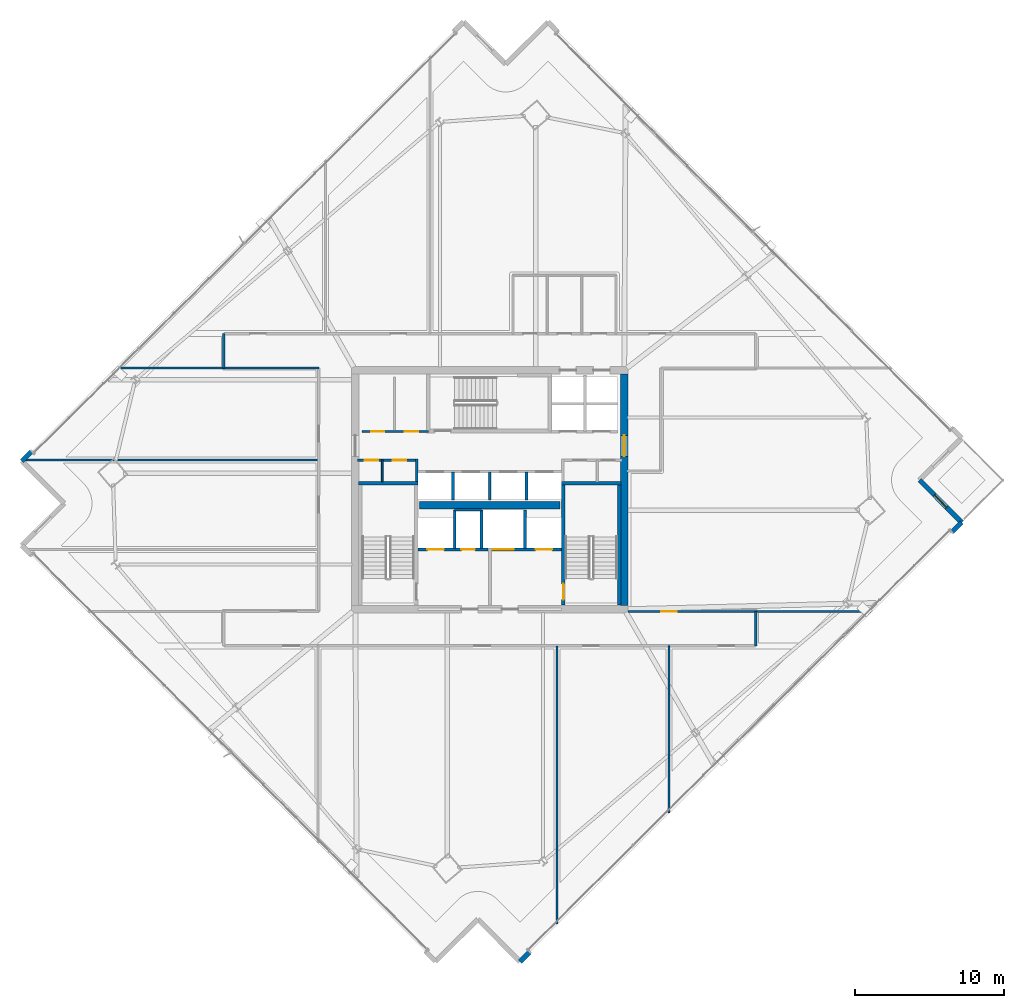
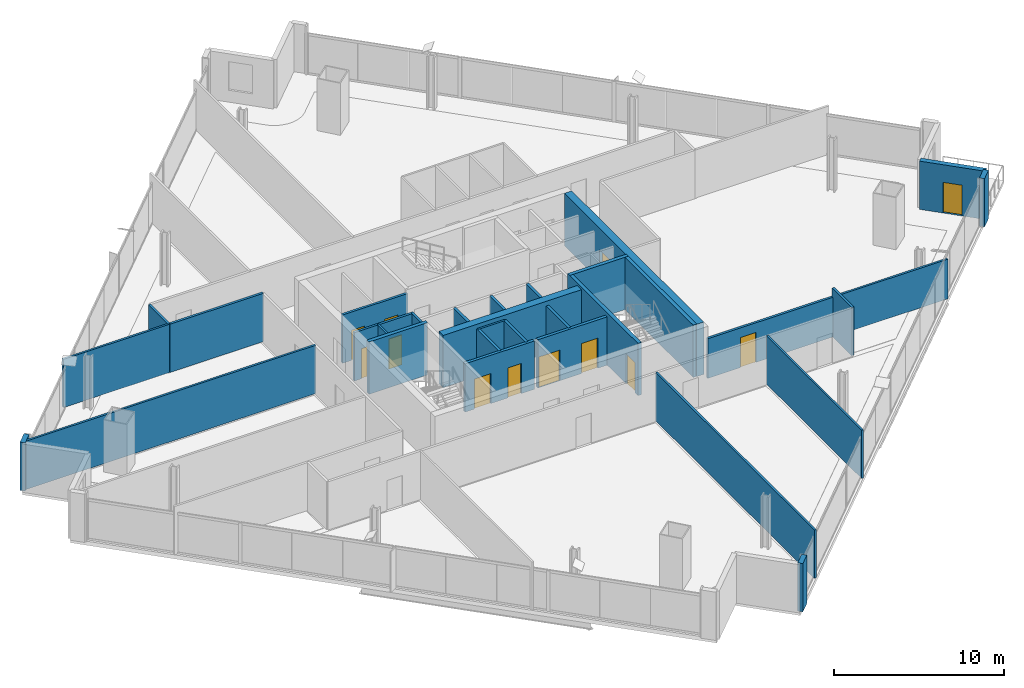
# One storey, part 25 of 32: 32 walls, 12 doors, 12 openings.
"""IFC4 building model written with IfcOpenShell, lengths in metres."""

from ifc_helpers import new_model, si_unit, direction, frame, frame_2d, origin, place, context, subcontext, project, spatial, rectangle, extrude, material, layer, layer_set, type_object, element, fill, save


model = new_model("IFC4")

# Units and contexts
model_context = context("Model", 3, precision=1e-05, world=origin(), true_north=direction((0.0, 1.0)))
body_context = subcontext(model_context, "Body", "Model", "MODEL_VIEW")
ifc_project = project(units=[si_unit("LENGTHUNIT", "METRE"), si_unit("AREAUNIT", "SQUARE_METRE"), si_unit("VOLUMEUNIT", "CUBIC_METRE"), si_unit("PLANEANGLEUNIT", "RADIAN"), si_unit("MASSUNIT", "GRAM", prefix="KILO")], contexts=[model_context])

# Site, building, storey
site_placement = place(None, origin())
site = spatial("IfcSite", under=ifc_project, at=site_placement, CompositionType="ELEMENT")
building_placement = place(site_placement, origin())
building = spatial("IfcBuilding", under=site, at=building_placement, Name="Haldenkirk Collegiate Tower", CompositionType="ELEMENT")
storey_placement = place(building_placement, frame((0.0, 0.0, 178.199951171875)))
storey = spatial("IfcBuildingStorey", under=building, at=storey_placement, Name="L44", CompositionType="ELEMENT", Elevation=178.199951171875)

# Wall, opening, door
ifc_material_1 = material(Name="Concrete f'c 55 MPa", Category="concrete")
ifc_layer_1 = layer(ifc_material_1, 0.5)
ifc_layer_set_1 = layer_set([ifc_layer_1], Name="Concrete f'c 55 MPa")
wall_type_1 = type_object("IfcWallType", Name="WL-CORE-500", PredefinedType="SHEAR", material=ifc_layer_set_1)
wall_1_placement = place(storey_placement, frame((45.0, 18.25, 0.0), z_axis=(0.0, 0.0, 1.0), x_axis=(0.0, 1.0, 0.0)))
wall_1 = element("IfcWall", 1, at=wall_1_placement, inside=storey, type_object=wall_type_1, Name="L44 central core shear wall E", PredefinedType="SHEAR", context=body_context, shape_type="SweptSolid", body=[
    extrude(rectangle(XDim=15.5, YDim=0.5, at=frame_2d((7.75, 0.0))), origin(), (0.0, 0.0, 1.0), 3.75),
])
opening_1_placement = place(wall_1_placement, frame((9.989990234375, 0.0, 0.0)))
opening_1 = element("IfcOpeningElement", 2, at=opening_1_placement, cuts=wall_1, Name="Opening D-03", PredefinedType="OPENING", context=body_context, shape_type="SweptSolid", body=[
    extrude(rectangle(XDim=1.39990234375, YDim=2.199951171875, at=frame_2d((0.699951171875, 1.10009765625))), frame((0.0, 0.260009765625, 0.0), z_axis=(0.0, -1.0, 0.0), x_axis=(1.0, 0.0, 0.0)), (0.0, 0.0, 1.0), 0.52001953125),
])
ifc_material_2 = material(Name="Galvanized fire-rated hollow steel door", Category="steel")
ifc_layer_2 = layer(ifc_material_2, 0.06005859375)
ifc_layer_set_2 = layer_set([ifc_layer_2], Name="Galvanized fire-rated hollow steel door")
door_type_1 = type_object("IfcDoorType", Name="DR-LOBBY-FD90-1400", OperationType="NOTDEFINED", PredefinedType="DOOR", material=ifc_layer_set_2)
door_1_placement = place(opening_1_placement, origin())
door_1 = element("IfcDoor", 3, at=door_1_placement, inside=storey, type_object=door_type_1, Name="L44 east lift lobby portal", OperationType="DOUBLE_DOOR_SINGLE_SWING", OverallHeight=2.199951171875, OverallWidth=1.39990234375, PredefinedType="DOOR", context=body_context, shape_type="SweptSolid", body=[
    extrude(rectangle(XDim=1.39990234375, YDim=2.199951171875, at=frame_2d((0.699951171875, 1.10009765625))), frame((0.0, 0.02490234375, 0.0), z_axis=(0.0, -1.0, 0.0), x_axis=(1.0, 0.0, 0.0)), (0.0, 0.0, 1.0), 0.050048828125),
])
fill(opening_1, door_1)

# Walls
wall_2_placement = place(storey_placement, frame((31.31005859375, 24.949951171875, 0.0), z_axis=(0.0, 0.0, 1.0), x_axis=(1.0, 0.0, 0.0)))
element("IfcWall", 4, at=wall_2_placement, inside=storey, type_object=wall_type_1, Name="L44 central core spine shear wall", PredefinedType="SHEAR", context=body_context, shape_type="SweptSolid", body=[
    extrude(rectangle(XDim=9.3798828125, YDim=0.5, at=frame_2d((4.68994140625, 0.0))), origin(), (0.0, 0.0, 1.0), 3.75),
])
ifc_material_3 = material(Name="Precast concrete f'c 40 MPa", Category="concrete")
ifc_layer_3 = layer(ifc_material_3, 0.320068359375)
ifc_layer_set_3 = layer_set([ifc_layer_3], Name="Precast concrete f'c 40 MPa")
wall_type_2 = type_object("IfcWallType", Name="WL-EXT-TWR-320", PredefinedType="STANDARD", material=ifc_layer_set_3)
wall_3_placement = place(storey_placement, frame((67.58447265625, 23.813720703125, 0.0), z_axis=(0.0, 0.0, 1.0), x_axis=(-0.709002862671, -0.705205601739, 0.0)))
element("IfcWall", 5, at=wall_3_placement, inside=storey, type_object=wall_type_2, Name="L44 precast corner pier SL", PredefinedType="STANDARD", context=body_context, shape_type="SweptSolid", body=[
    extrude(rectangle(XDim=0.900146484375, YDim=0.320068359375, at=frame_2d((0.4501953125, 0.0))), origin(), (0.0, 0.0, 1.0), 3.4599609375),
])
wall_4_placement = place(storey_placement, frame((38.658935546875, -4.960693359375, 0.0), z_axis=(0.0, 0.0, 1.0), x_axis=(-0.708867935569, -0.705341229422, 0.0)))
element("IfcWall", 6, at=wall_4_placement, inside=storey, type_object=wall_type_2, Name="L44 precast corner pier SR", PredefinedType="STANDARD", context=body_context, shape_type="SweptSolid", body=[
    extrude(rectangle(XDim=0.89990234375, YDim=0.320068359375, at=frame_2d((0.449951171875, 0.0))), origin(), (0.0, 0.0, 1.0), 3.4599609375),
])

# Wall, opening, door
wall_5_placement = place(storey_placement, frame((64.763427734375, 26.6494140625, 0.0), z_axis=(0.0, 0.0, 1.0), x_axis=(0.705273324255, -0.708935496427, 0.0)))
wall_5 = element("IfcWall", 7, at=wall_5_placement, inside=storey, type_object=wall_type_2, Name="L44 bronze precast notch wall 02", PredefinedType="STANDARD", context=body_context, shape_type="SweptSolid", body=[
    extrude(rectangle(XDim=4.0, YDim=0.320068359375, at=frame_2d((2.0, 0.0))), origin(), (0.0, 0.0, 1.0), 3.4599609375),
])
opening_2_placement = place(wall_5_placement, frame((1.425048828125, 0.0, 0.0)))
opening_2 = element("IfcOpeningElement", 8, at=opening_2_placement, cuts=wall_5, Name="Opening D-ST11", PredefinedType="OPENING", context=body_context, shape_type="SweptSolid", body=[
    extrude(rectangle(XDim=1.14990234375, YDim=2.199951171875, at=frame_2d((0.574951171875, 1.10009765625))), frame((0.0, 0.169921875, 0.0), z_axis=(0.0, -1.0, 0.0), x_axis=(1.0, 0.0, 0.0)), (0.0, 0.0, 1.0), 0.340087890625),
])
ifc_material_4 = material(Name="Anodised architectural bronze aluminium", Category="aluminium")
ifc_layer_4 = layer(ifc_material_4, 0.080078125)
ifc_layer_set_4 = layer_set([ifc_layer_4], Name="Anodised architectural bronze aluminium")
door_type_2 = type_object("IfcDoorType", Name="DR-EXT-STER-1150", OperationType="NOTDEFINED", PredefinedType="DOOR", material=ifc_layer_set_4)
door_2_placement = place(opening_2_placement, origin())
door_2 = element("IfcDoor", 9, at=door_2_placement, inside=storey, type_object=door_type_2, Name="L44 spiralling terrace door", OperationType="SINGLE_SWING_LEFT", OverallHeight=2.199951171875, OverallWidth=1.14990234375, PredefinedType="DOOR", context=body_context, shape_type="SweptSolid", body=[
    extrude(rectangle(XDim=1.14990234375, YDim=2.199951171875, at=frame_2d((0.574951171875, 1.10009765625))), frame((0.0, 0.02490234375, 0.0), z_axis=(0.0, -1.0, 0.0), x_axis=(1.0, 0.0, 0.0)), (0.0, 0.0, 1.0), 0.050048828125),
])
fill(opening_2, door_2)

# Wall
wall_6_placement = place(storey_placement, frame((4.68017578125, 27.92041015625, 0.0), z_axis=(0.0, 0.0, 1.0), x_axis=(0.708867935569, 0.705341229422, 0.0)))
element("IfcWall", 10, at=wall_6_placement, inside=storey, type_object=wall_type_2, Name="L44 precast corner pier NL", PredefinedType="STANDARD", context=body_context, shape_type="SweptSolid", body=[
    extrude(rectangle(XDim=0.89990234375, YDim=0.320068359375, at=frame_2d((0.449951171875, 0.0))), origin(), (0.0, 0.0, 1.0), 3.4599609375),
])

# Wall, openings, doors
ifc_material_5 = material(Name="Acoustic fire-rated gypsum partition", Category="concrete")
ifc_layer_5 = layer(ifc_material_5, 0.159912109375)
ifc_layer_set_5 = layer_set([ifc_layer_5], Name="Acoustic fire-rated gypsum partition")
wall_type_3 = type_object("IfcWallType", Name="WL-INT-CORR-160", PredefinedType="PARTITIONING", material=ifc_layer_set_5)
wall_7_placement = place(storey_placement, frame((27.14990234375, 27.97998046875, 0.0), z_axis=(0.0, 0.0, 1.0), x_axis=(1.0, 0.0, 0.0)))
wall_7 = element("IfcWall", 11, at=wall_7_placement, inside=storey, type_object=wall_type_3, Name="L44 interior partition IW-L44-VCSW-N", PredefinedType="PARTITIONING", context=body_context, shape_type="SweptSolid", body=[
    extrude(rectangle(XDim=4.050048828125, YDim=0.159912109375, at=frame_2d((2.02490234375, 0.0))), origin(), (0.0, 0.0, 1.0), 3.4599609375),
])
opening_3_placement = place(wall_7_placement, frame((0.469970703125, 0.0, 0.0)))
opening_3 = element("IfcOpeningElement", 12, at=opening_3_placement, cuts=wall_7, Name="Opening D-11", PredefinedType="OPENING", context=body_context, shape_type="SweptSolid", body=[
    extrude(rectangle(XDim=0.89990234375, YDim=2.14990234375, at=frame_2d((0.449951171875, 1.074951171875))), frame((0.0, 0.08984375, 0.0), z_axis=(0.0, -1.0, 0.0), x_axis=(1.0, 0.0, 0.0)), (0.0, 0.0, 1.0), 0.179931640625),
])
opening_4_placement = place(wall_7_placement, frame((2.360107421875, 0.0, 0.0)))
opening_4 = element("IfcOpeningElement", 13, at=opening_4_placement, cuts=wall_7, Name="Opening D-11", PredefinedType="OPENING", context=body_context, shape_type="SweptSolid", body=[
    extrude(rectangle(XDim=0.89990234375, YDim=2.14990234375, at=frame_2d((0.449951171875, 1.074951171875))), frame((0.0, 0.08984375, 0.0), z_axis=(0.0, -1.0, 0.0), x_axis=(1.0, 0.0, 0.0)), (0.0, 0.0, 1.0), 0.179931640625),
])
ifc_material_6 = material(Name="Solid-core architectural oak fire door", Category="wood")
ifc_layer_6 = layer(ifc_material_6, 0.06005859375)
ifc_layer_set_6 = layer_set([ifc_layer_6], Name="Solid-core architectural oak fire door")
door_type_3 = type_object("IfcDoorType", Name="DR-INT-FD60-900", OperationType="NOTDEFINED", PredefinedType="DOOR", material=ifc_layer_set_6)
door_3_placement = place(opening_3_placement, origin())
door_3 = element("IfcDoor", 14, at=door_3_placement, inside=storey, type_object=door_type_3, Name="L44 core AV closet door", OperationType="SINGLE_SWING_LEFT", OverallHeight=2.14990234375, OverallWidth=0.89990234375, PredefinedType="DOOR", context=body_context, shape_type="SweptSolid", body=[
    extrude(rectangle(XDim=0.89990234375, YDim=2.14990234375, at=frame_2d((0.449951171875, 1.074951171875))), frame((0.0, 0.02490234375, 0.0), z_axis=(0.0, -1.0, 0.0), x_axis=(1.0, 0.0, 0.0)), (0.0, 0.0, 1.0), 0.050048828125),
])
fill(opening_3, door_3)
door_4_placement = place(opening_4_placement, origin())
door_4 = element("IfcDoor", 15, at=door_4_placement, inside=storey, type_object=door_type_3, Name="L44 core supply closet door", OperationType="SINGLE_SWING_RIGHT", OverallHeight=2.14990234375, OverallWidth=0.89990234375, PredefinedType="DOOR", context=body_context, shape_type="SweptSolid", body=[
    extrude(rectangle(XDim=0.89990234375, YDim=2.14990234375, at=frame_2d((0.449951171875, 1.074951171875))), frame((0.0, 0.02490234375, 0.0), z_axis=(0.0, -1.0, 0.0), x_axis=(1.0, 0.0, 0.0)), (0.0, 0.0, 1.0), 0.050048828125),
])
fill(opening_4, door_4)

# Wall
wall_8_placement = place(storey_placement, frame((31.1201171875, 26.5400390625, 0.0), z_axis=(0.0, 0.0, 1.0), x_axis=(0.0, 1.0, 0.0)))
element("IfcWall", 16, at=wall_8_placement, inside=storey, type_object=wall_type_3, Name="L44 interior partition IW-L44-VCSW-E", PredefinedType="PARTITIONING", context=body_context, shape_type="SweptSolid", body=[
    extrude(rectangle(XDim=1.510009765625, YDim=0.159912109375, at=frame_2d((0.7548828125, 0.0))), origin(), (0.0, 0.0, 1.0), 3.4599609375),
])

# Wall, openings, doors
wall_9_placement = place(storey_placement, frame((27.449951171875, 29.89990234375, 0.0), z_axis=(0.0, 0.0, 1.0), x_axis=(1.0, 0.0, 0.0)))
wall_9 = element("IfcWall", 17, at=wall_9_placement, inside=storey, type_object=wall_type_3, Name="L44 interior partition IW-L44-PLS", PredefinedType="PARTITIONING", context=body_context, shape_type="SweptSolid", body=[
    extrude(rectangle(XDim=4.429931640625, YDim=0.159912109375, at=frame_2d((2.21484375, 0.0))), origin(), (0.0, 0.0, 1.0), 3.4599609375),
])
opening_5_placement = place(wall_9_placement, frame((0.60009765625, 0.0, 0.0)))
opening_5 = element("IfcOpeningElement", 18, at=opening_5_placement, cuts=wall_9, Name="Opening D-11", PredefinedType="OPENING", context=body_context, shape_type="SweptSolid", body=[
    extrude(rectangle(XDim=0.89990234375, YDim=2.14990234375, at=frame_2d((0.449951171875, 1.074951171875))), frame((0.0, 0.08984375, 0.0), z_axis=(0.0, -1.0, 0.0), x_axis=(1.0, 0.0, 0.0)), (0.0, 0.0, 1.0), 0.179931640625),
])
opening_6_placement = place(wall_9_placement, frame((2.85009765625, 0.0, 0.0)))
opening_6 = element("IfcOpeningElement", 19, at=opening_6_placement, cuts=wall_9, Name="Opening D-11", PredefinedType="OPENING", context=body_context, shape_type="SweptSolid", body=[
    extrude(rectangle(XDim=0.89990234375, YDim=2.14990234375, at=frame_2d((0.449951171875, 1.074951171875))), frame((0.0, 0.08984375, 0.0), z_axis=(0.0, -1.0, 0.0), x_axis=(1.0, 0.0, 0.0)), (0.0, 0.0, 1.0), 0.179931640625),
])
door_5_placement = place(opening_5_placement, origin())
door_5 = element("IfcDoor", 20, at=door_5_placement, inside=storey, type_object=door_type_3, Name="L44 tea kitchen door", OperationType="SINGLE_SWING_LEFT", OverallHeight=2.14990234375, OverallWidth=0.89990234375, PredefinedType="DOOR", context=body_context, shape_type="SweptSolid", body=[
    extrude(rectangle(XDim=0.89990234375, YDim=2.14990234375, at=frame_2d((0.449951171875, 1.074951171875))), frame((0.0, 0.02490234375, 0.0), z_axis=(0.0, -1.0, 0.0), x_axis=(1.0, 0.0, 0.0)), (0.0, 0.0, 1.0), 0.050048828125),
])
fill(opening_5, door_5)
door_6_placement = place(opening_6_placement, origin())
door_6 = element("IfcDoor", 21, at=door_6_placement, inside=storey, type_object=door_type_3, Name="L44 IT room door", OperationType="SINGLE_SWING_RIGHT", OverallHeight=2.14990234375, OverallWidth=0.89990234375, PredefinedType="DOOR", context=body_context, shape_type="SweptSolid", body=[
    extrude(rectangle(XDim=0.89990234375, YDim=2.14990234375, at=frame_2d((0.449951171875, 1.074951171875))), frame((0.0, 0.02490234375, 0.0), z_axis=(0.0, -1.0, 0.0), x_axis=(1.0, 0.0, 0.0)), (0.0, 0.0, 1.0), 0.050048828125),
])
fill(opening_6, door_6)

# Wall, opening, door
wall_10_placement = place(storey_placement, frame((45.25, 17.85009765625, 0.0), z_axis=(0.0, 0.0, 1.0), x_axis=(1.0, 0.0, 0.0)))
wall_10 = element("IfcWall", 22, at=wall_10_placement, inside=storey, type_object=wall_type_3, Name="L44 interior partition IW-L44-CSE", PredefinedType="PARTITIONING", context=body_context, shape_type="SweptSolid", body=[
    extrude(rectangle(XDim=8.550048828125, YDim=0.159912109375, at=frame_2d((4.27490234375, 0.0))), origin(), (0.0, 0.0, 1.0), 2.839111328125),
])
opening_7_placement = place(wall_10_placement, frame((2.2109375, 0.0, 0.0)))
opening_7 = element("IfcOpeningElement", 23, at=opening_7_placement, cuts=wall_10, Name="Opening D-09", PredefinedType="OPENING", context=body_context, shape_type="SweptSolid", body=[
    extrude(rectangle(XDim=1.050048828125, YDim=2.14990234375, at=frame_2d((0.52490234375, 1.074951171875))), frame((0.0, 0.08984375, 0.0), z_axis=(0.0, -1.0, 0.0), x_axis=(1.0, 0.0, 0.0)), (0.0, 0.0, 1.0), 0.179931640625),
])
ifc_layer_7 = layer(ifc_material_6, 0.06005859375)
ifc_layer_set_7 = layer_set([ifc_layer_7], Name="Solid-core architectural oak fire door")
door_type_4 = type_object("IfcDoorType", Name="DR-INT-FD60-1050", OperationType="NOTDEFINED", PredefinedType="DOOR", material=ifc_layer_set_7)
door_7_placement = place(opening_7_placement, origin())
door_7 = element("IfcDoor", 24, at=door_7_placement, inside=storey, type_object=door_type_4, Name="L44 Research Office 11 door", OperationType="SINGLE_SWING_RIGHT", OverallHeight=2.14990234375, OverallWidth=1.050048828125, PredefinedType="DOOR", context=body_context, shape_type="SweptSolid", body=[
    extrude(rectangle(XDim=1.050048828125, YDim=2.14990234375, at=frame_2d((0.52490234375, 1.074951171875))), frame((0.0, 0.02490234375, 0.0), z_axis=(0.0, -1.0, 0.0), x_axis=(1.0, 0.0, 0.0)), (0.0, 0.0, 1.0), 0.050048828125),
])
fill(opening_7, door_7)

# Walls
wall_11_placement = place(storey_placement, frame((18.199951171875, 34.14990234375, 0.0), z_axis=(0.0, 0.0, 1.0), x_axis=(1.0, 0.0, 0.0)))
element("IfcWall", 25, at=wall_11_placement, inside=storey, type_object=wall_type_3, Name="L44 interior partition IW-L44-CNW", PredefinedType="PARTITIONING", context=body_context, shape_type="SweptSolid", body=[
    extrude(rectangle(XDim=6.35009765625, YDim=0.159912109375, at=frame_2d((3.175048828125, 0.0))), origin(), (0.0, 0.0, 1.0), 3.4599609375),
])
for number, where, z_axis, x_axis, name in (
    (26, (53.800048828125, 15.550048828125, 0.0), (0.0, 0.0, 1.0), (0.0, 1.0, 0.0), "L44 interior partition IW-L44-CSR"),
    (27, (18.199951171875, 34.14990234375, 0.0), (0.0, 0.0, 1.0), (0.0, 1.0, 0.0), "L44 interior partition IW-L44-CNL"),
):
    element("IfcWall", number, at=place(storey_placement, frame(where, z_axis=z_axis, x_axis=x_axis)), inside=storey, type_object=wall_type_3, Name=name, PredefinedType="PARTITIONING", context=body_context, shape_type="SweptSolid", body=[
        extrude(rectangle(XDim=2.300048828125, YDim=0.159912109375, at=frame_2d((1.14990234375, 0.0))), origin(), (0.0, 0.0, 1.0), 3.4599609375),
    ])
ifc_layer_8 = layer(ifc_material_5, 0.139892578125)
ifc_layer_set_8 = layer_set([ifc_layer_8], Name="Acoustic fire-rated gypsum partition")
wall_type_4 = type_object("IfcWallType", Name="WL-INT-DIV-140", PredefinedType="PARTITIONING", material=ifc_layer_set_8)
wall_12_placement = place(storey_placement, frame((10.9990234375, 34.14990234375, 0.0), z_axis=(0.0, 0.0, 1.0), x_axis=(1.0, 0.0, 0.0)))
element("IfcWall", 28, at=wall_12_placement, inside=storey, type_object=wall_type_4, Name="L44 interior partition IW-L44-BWN", PredefinedType="PARTITIONING", context=body_context, shape_type="SweptSolid", body=[
    extrude(rectangle(XDim=7.200927734375, YDim=0.139892578125, at=frame_2d((3.6005859375, 0.0))), origin(), (0.0, 0.0, 1.0), 3.4599609375),
])
wall_13_placement = place(storey_placement, frame((53.800048828125, 17.85009765625, 0.0), z_axis=(0.0, 0.0, 1.0), x_axis=(1.0, 0.0, 0.0)))
element("IfcWall", 29, at=wall_13_placement, inside=storey, type_object=wall_type_4, Name="L44 interior partition IW-L44-BES", PredefinedType="PARTITIONING", context=body_context, shape_type="SweptSolid", body=[
    extrude(rectangle(XDim=7.732666015625, YDim=0.139892578125, at=frame_2d((3.8662109375, 0.0))), origin(), (0.0, 0.0, 1.0), 2.839111328125),
])
wall_14_placement = place(storey_placement, frame((40.5, -3.07275390625, 0.0), z_axis=(0.0, 0.0, 1.0), x_axis=(0.0, 1.0, 0.0)))
element("IfcWall", 30, at=wall_14_placement, inside=storey, type_object=wall_type_4, Name="L44 interior partition IW-L44-RS2", PredefinedType="PARTITIONING", context=body_context, shape_type="SweptSolid", body=[
    extrude(rectangle(XDim=18.622802734375, YDim=0.139892578125, at=frame_2d((9.3115234375, 0.0))), origin(), (0.0, 0.0, 1.0), 3.4599609375),
])
wall_15_placement = place(storey_placement, frame((4.816650390625, 28.0, 0.0), z_axis=(0.0, 0.0, 1.0), x_axis=(1.0, 0.0, 0.0)))
element("IfcWall", 31, at=wall_15_placement, inside=storey, type_object=wall_type_4, Name="L44 interior partition IW-L44-RW2", PredefinedType="PARTITIONING", context=body_context, shape_type="SweptSolid", body=[
    extrude(rectangle(XDim=19.7333984375, YDim=0.139892578125, at=frame_2d((9.86669921875, 0.0))), origin(), (0.0, 0.0, 1.0), 3.4599609375),
])
ifc_material_7 = material(Name="Fire-rated gypsum shaftboard assembly", Category="concrete")
ifc_layer_9 = layer(ifc_material_7, 0.179931640625)
ifc_layer_set_9 = layer_set([ifc_layer_9], Name="Fire-rated gypsum shaftboard assembly")
wall_type_5 = type_object("IfcWallType", Name="WL-INT-SHAFT-180", PredefinedType="PARTITIONING", material=ifc_layer_set_9)
for number, where, z_axis, x_axis, name in (
    (32, (33.64990234375, 22.050048828125, 0.0), (0.0, 0.0, 1.0), (0.0, 1.0, 0.0), "L44 interior partition IW-L44-FL1E"),
    (33, (35.449951171875, 22.050048828125, 0.0), (0.0, 0.0, 1.0), (0.0, 1.0, 0.0), "L44 interior partition IW-L44-GL1W"),
):
    element("IfcWall", number, at=place(storey_placement, frame(where, z_axis=z_axis, x_axis=x_axis)), inside=storey, type_object=wall_type_5, Name=name, PredefinedType="PARTITIONING", context=body_context, shape_type="SweptSolid", body=[
        extrude(rectangle(XDim=2.599853515625, YDim=0.179931640625, at=frame_2d((1.2998046875, 0.0))), origin(), (0.0, 0.0, 1.0), 3.4599609375),
    ])
wall_16_placement = place(storey_placement, frame((33.64990234375, 24.64990234375, 0.0), z_axis=(0.0, 0.0, 1.0), x_axis=(1.0, 0.0, 0.0)))
element("IfcWall", 34, at=wall_16_placement, inside=storey, type_object=wall_type_5, Name="L44 interior partition IW-L44-RSRN", PredefinedType="PARTITIONING", context=body_context, shape_type="SweptSolid", body=[
    extrude(rectangle(XDim=1.800048828125, YDim=0.179931640625, at=frame_2d((0.89990234375, 0.0))), origin(), (0.0, 0.0, 1.0), 3.4599609375),
])
wall_17_placement = place(storey_placement, frame((38.35009765625, 22.050048828125, 0.0), z_axis=(0.0, 0.0, 1.0), x_axis=(0.0, 1.0, 0.0)))
element("IfcWall", 35, at=wall_17_placement, inside=storey, type_object=wall_type_5, Name="L44 interior partition IW-L44-GL1E", PredefinedType="PARTITIONING", context=body_context, shape_type="SweptSolid", body=[
    extrude(rectangle(XDim=2.599853515625, YDim=0.179931640625, at=frame_2d((1.2998046875, 0.0))), origin(), (0.0, 0.0, 1.0), 3.4599609375),
])
for number, where, z_axis, x_axis, name in (
    (36, (33.5400390625, 25.300048828125, 0.0), (0.0, 0.0, 1.0), (0.0, 1.0, 0.0), "L44 interior partition IW-L44-PHV1"),
    (37, (36.0, 25.300048828125, 0.0), (0.0, 0.0, 1.0), (0.0, 1.0, 0.0), "L44 interior partition IW-L44-PHV2"),
    (38, (38.4599609375, 25.300048828125, 0.0), (0.0, 0.0, 1.0), (0.0, 1.0, 0.0), "L44 interior partition IW-L44-PHV3"),
):
    element("IfcWall", number, at=place(storey_placement, frame(where, z_axis=z_axis, x_axis=x_axis)), inside=storey, type_object=wall_type_5, Name=name, PredefinedType="PARTITIONING", context=body_context, shape_type="SweptSolid", body=[
        extrude(rectangle(XDim=1.89990234375, YDim=0.179931640625, at=frame_2d((0.949951171875, 0.0))), origin(), (0.0, 0.0, 1.0), 3.4599609375),
    ])

# Wall, openings, doors
ifc_layer_10 = layer(ifc_material_7, 0.199951171875)
ifc_layer_set_10 = layer_set([ifc_layer_10], Name="Fire-rated gypsum shaftboard assembly")
wall_type_6 = type_object("IfcWallType", Name="WL-INT-SHAFT-200", PredefinedType="PARTITIONING", material=ifc_layer_set_10)
wall_18_placement = place(storey_placement, frame((31.18994140625, 22.0, 0.0), z_axis=(0.0, 0.0, 1.0), x_axis=(1.0, 0.0, 0.0)))
wall_18 = element("IfcWall", 39, at=wall_18_placement, inside=storey, type_object=wall_type_6, Name="L44 interior partition IW-L44-FFL1N", PredefinedType="PARTITIONING", context=body_context, shape_type="SweptSolid", body=[
    extrude(rectangle(XDim=4.68994140625, YDim=0.199951171875, at=frame_2d((2.344970703125, 0.0))), origin(), (0.0, 0.0, 1.0), 3.4599609375),
])
opening_8_placement = place(wall_18_placement, frame((2.909912109375, 0.0, 0.0)))
opening_8 = element("IfcOpeningElement", 40, at=opening_8_placement, cuts=wall_18, Name="Opening D-06", PredefinedType="OPENING", context=body_context, shape_type="SweptSolid", body=[
    extrude(rectangle(XDim=0.89990234375, YDim=2.14990234375, at=frame_2d((0.449951171875, 1.074951171875))), frame((0.0, 0.10986328125, 0.0), z_axis=(0.0, -1.0, 0.0), x_axis=(1.0, 0.0, 0.0)), (0.0, 0.0, 1.0), 0.219970703125),
])
opening_9_placement = place(wall_18_placement, frame((0.635009765625, 0.0, 0.0)))
opening_9 = element("IfcOpeningElement", 41, at=opening_9_placement, cuts=wall_18, Name="Opening LD-12", PredefinedType="OPENING", context=body_context, shape_type="SweptSolid", body=[
    extrude(rectangle(XDim=1.10009765625, YDim=2.14990234375, at=frame_2d((0.550048828125, 1.074951171875))), frame((0.0, 0.10986328125, 0.0), z_axis=(0.0, -1.0, 0.0), x_axis=(1.0, 0.0, 0.0)), (0.0, 0.0, 1.0), 0.219970703125),
])
ifc_layer_11 = layer(ifc_material_2, 0.06005859375)
ifc_layer_set_11 = layer_set([ifc_layer_11], Name="Galvanized fire-rated hollow steel door")
door_type_5 = type_object("IfcDoorType", Name="DR-INT-FD90-900", OperationType="NOTDEFINED", PredefinedType="DOOR", material=ifc_layer_set_11)
door_8_placement = place(opening_8_placement, origin())
door_8 = element("IfcDoor", 42, at=door_8_placement, inside=storey, type_object=door_type_5, Name="L44 electrical riser door", OperationType="SINGLE_SWING_RIGHT", OverallHeight=2.14990234375, OverallWidth=0.89990234375, PredefinedType="DOOR", context=body_context, shape_type="SweptSolid", body=[
    extrude(rectangle(XDim=0.89990234375, YDim=2.14990234375, at=frame_2d((0.449951171875, 1.074951171875))), frame((0.0, 0.02490234375, 0.0), z_axis=(0.0, -1.0, 0.0), x_axis=(1.0, 0.0, 0.0)), (0.0, 0.0, 1.0), 0.050048828125),
])
fill(opening_8, door_8)
ifc_material_8 = material(Name="Brushed architectural stainless steel", Category="steel")
ifc_layer_12 = layer(ifc_material_8, 0.06005859375)
ifc_layer_set_12 = layer_set([ifc_layer_12], Name="Brushed architectural stainless steel")
door_type_6 = type_object("IfcDoorType", Name="LD-FIRE-1100", OperationType="NOTDEFINED", PredefinedType="DOOR", material=ifc_layer_set_12)
door_9_placement = place(opening_9_placement, origin())
door_9 = element("IfcDoor", 43, at=door_9_placement, inside=storey, type_object=door_type_6, Name="L44 Elevator FL1 sliding landing door", OperationType="SLIDING_TO_LEFT", OverallHeight=2.14990234375, OverallWidth=1.10009765625, PredefinedType="DOOR", context=body_context, shape_type="SweptSolid", body=[
    extrude(rectangle(XDim=1.10009765625, YDim=2.14990234375, at=frame_2d((0.550048828125, 1.074951171875))), frame((0.0, 0.02490234375, 0.0), z_axis=(0.0, -1.0, 0.0), x_axis=(1.0, 0.0, 0.0)), (0.0, 0.0, 1.0), 0.050048828125),
])
fill(opening_9, door_9)

wall_19_placement = place(storey_placement, frame((36.1201171875, 22.0, 0.0), z_axis=(0.0, 0.0, 1.0), x_axis=(1.0, 0.0, 0.0)))
wall_19 = element("IfcWall", 44, at=wall_19_placement, inside=storey, type_object=wall_type_6, Name="L44 interior partition IW-L44-FFL2N", PredefinedType="PARTITIONING", context=body_context, shape_type="SweptSolid", body=[
    extrude(rectangle(XDim=4.68994140625, YDim=0.199951171875, at=frame_2d((2.344970703125, 0.0))), origin(), (0.0, 0.0, 1.0), 3.4599609375),
])
opening_10_placement = place(wall_19_placement, frame((2.955078125, 0.0, 0.0)))
opening_10 = element("IfcOpeningElement", 45, at=opening_10_placement, cuts=wall_19, Name="Opening LD-12", PredefinedType="OPENING", context=body_context, shape_type="SweptSolid", body=[
    extrude(rectangle(XDim=1.10009765625, YDim=2.14990234375, at=frame_2d((0.550048828125, 1.074951171875))), frame((0.0, 0.10986328125, 0.0), z_axis=(0.0, -1.0, 0.0), x_axis=(1.0, 0.0, 0.0)), (0.0, 0.0, 1.0), 0.219970703125),
])
opening_11_placement = place(wall_19_placement, frame((0.080078125, 0.0, 0.0)))
opening_11 = element("IfcOpeningElement", 46, at=opening_11_placement, cuts=wall_19, Name="Opening LD-13", PredefinedType="OPENING", context=body_context, shape_type="SweptSolid", body=[
    extrude(rectangle(XDim=1.39990234375, YDim=2.199951171875, at=frame_2d((0.699951171875, 1.10009765625))), frame((0.0, 0.10986328125, 0.0), z_axis=(0.0, -1.0, 0.0), x_axis=(1.0, 0.0, 0.0)), (0.0, 0.0, 1.0), 0.219970703125),
])
door_10_placement = place(opening_10_placement, origin())
door_10 = element("IfcDoor", 47, at=door_10_placement, inside=storey, type_object=door_type_6, Name="L44 Elevator FL2 sliding landing door", OperationType="SLIDING_TO_LEFT", OverallHeight=2.14990234375, OverallWidth=1.10009765625, PredefinedType="DOOR", context=body_context, shape_type="SweptSolid", body=[
    extrude(rectangle(XDim=1.10009765625, YDim=2.14990234375, at=frame_2d((0.550048828125, 1.074951171875))), frame((0.0, 0.02490234375, 0.0), z_axis=(0.0, -1.0, 0.0), x_axis=(1.0, 0.0, 0.0)), (0.0, 0.0, 1.0), 0.050048828125),
])
fill(opening_10, door_10)
ifc_layer_13 = layer(ifc_material_8, 0.06005859375)
ifc_layer_set_13 = layer_set([ifc_layer_13], Name="Brushed architectural stainless steel")
door_type_7 = type_object("IfcDoorType", Name="LD-GOODS-1400", OperationType="NOTDEFINED", PredefinedType="DOOR", material=ifc_layer_set_13)
door_11_placement = place(opening_11_placement, origin())
door_11 = element("IfcDoor", 48, at=door_11_placement, inside=storey, type_object=door_type_7, Name="L44 Elevator GL1 sliding landing door", OperationType="SLIDING_TO_LEFT", OverallHeight=2.199951171875, OverallWidth=1.39990234375, PredefinedType="DOOR", context=body_context, shape_type="SweptSolid", body=[
    extrude(rectangle(XDim=1.39990234375, YDim=2.199951171875, at=frame_2d((0.699951171875, 1.10009765625))), frame((0.0, 0.02490234375, 0.0), z_axis=(0.0, -1.0, 0.0), x_axis=(1.0, 0.0, 0.0)), (0.0, 0.0, 1.0), 0.050048828125),
])
fill(opening_11, door_11)

# Walls
ifc_layer_14 = layer(ifc_material_5, 0.1201171875)
ifc_layer_set_14 = layer_set([ifc_layer_14], Name="Acoustic fire-rated gypsum partition")
wall_type_7 = type_object("IfcWallType", Name="WL-INT-WET-120", PredefinedType="PARTITIONING", material=ifc_layer_set_14)
wall_20_placement = place(storey_placement, frame((28.800048828125, 26.5400390625, 0.0), z_axis=(0.0, 0.0, 1.0), x_axis=(0.0, 1.0, 0.0)))
element("IfcWall", 49, at=wall_20_placement, inside=storey, type_object=wall_type_7, Name="L44 interior partition IW-L44-VCSW-M", PredefinedType="PARTITIONING", context=body_context, shape_type="SweptSolid", body=[
    extrude(rectangle(XDim=1.43994140625, YDim=0.1201171875, at=frame_2d((0.719970703125, 0.0))), origin(), (0.0, 0.0, 1.0), 3.4599609375),
])
wall_21_placement = place(storey_placement, frame((48.0, 4.387939453125, 0.0), z_axis=(0.0, 0.0, 1.0), x_axis=(0.0, 1.0, 0.0)))
element("IfcWall", 50, at=wall_21_placement, inside=storey, type_object=wall_type_7, Name="L44 interior partition IW-L44-RS3", PredefinedType="PARTITIONING", context=body_context, shape_type="SweptSolid", body=[
    extrude(rectangle(XDim=11.162109375, YDim=0.1201171875, at=frame_2d((5.5810546875, 0.0))), origin(), (0.0, 0.0, 1.0), 3.4599609375),
])
ifc_layer_15 = layer(ifc_material_1, 0.239990234375)
ifc_layer_set_15 = layer_set([ifc_layer_15], Name="Concrete f'c 55 MPa")
wall_type_8 = type_object("IfcWallType", Name="WL-SHAFT-240", PredefinedType="SHEAR", material=ifc_layer_set_15)
wall_22_placement = place(storey_placement, frame((27.2099609375, 26.419921875, 0.0), z_axis=(0.0, 0.0, 1.0), x_axis=(1.0, 0.0, 0.0)))
element("IfcWall", 51, at=wall_22_placement, inside=storey, type_object=wall_type_8, Name="L44 stair shaft shear wall SW-L44-ST1N", PredefinedType="SHEAR", context=body_context, shape_type="SweptSolid", body=[
    extrude(rectangle(XDim=3.97998046875, YDim=0.239990234375, at=frame_2d((1.989990234375, 0.0))), origin(), (0.0, 0.0, 1.0), 3.75),
])

# Wall, opening, door
wall_23_placement = place(storey_placement, frame((40.929931640625, 18.280029296875, 0.0), z_axis=(0.0, 0.0, 1.0), x_axis=(0.0, 1.0, 0.0)))
wall_23 = element("IfcWall", 52, at=wall_23_placement, inside=storey, type_object=wall_type_8, Name="L44 stair shaft shear wall SW-L44-ST2W", PredefinedType="SHEAR", context=body_context, shape_type="SweptSolid", body=[
    extrude(rectangle(XDim=8.260009765625, YDim=0.239990234375, at=frame_2d((4.1298828125, 0.0))), origin(), (0.0, 0.0, 1.0), 3.75),
])
opening_12_placement = place(wall_23_placement, frame((0.364990234375, 0.0, 0.0)))
opening_12 = element("IfcOpeningElement", 53, at=opening_12_placement, cuts=wall_23, Name="Opening D-01", PredefinedType="OPENING", context=body_context, shape_type="SweptSolid", body=[
    extrude(rectangle(XDim=1.050048828125, YDim=2.14990234375, at=frame_2d((0.52490234375, 1.074951171875))), frame((0.0, 0.1298828125, 0.0), z_axis=(0.0, -1.0, 0.0), x_axis=(1.0, 0.0, 0.0)), (0.0, 0.0, 1.0), 0.260009765625),
])
ifc_layer_16 = layer(ifc_material_2, 0.06005859375)
ifc_layer_set_16 = layer_set([ifc_layer_16], Name="Galvanized fire-rated hollow steel door")
door_type_8 = type_object("IfcDoorType", Name="DR-STAIR-FD90-1050", OperationType="NOTDEFINED", PredefinedType="DOOR", material=ifc_layer_set_16)
door_12_placement = place(opening_12_placement, origin())
door_12 = element("IfcDoor", 54, at=door_12_placement, inside=storey, type_object=door_type_8, Name="L44 Stair 2 door", OperationType="SINGLE_SWING_RIGHT", OverallHeight=2.14990234375, OverallWidth=1.050048828125, PredefinedType="DOOR", context=body_context, shape_type="SweptSolid", body=[
    extrude(rectangle(XDim=1.050048828125, YDim=2.14990234375, at=frame_2d((0.52490234375, 1.074951171875))), frame((0.0, 0.02490234375, 0.0), z_axis=(0.0, -1.0, 0.0), x_axis=(1.0, 0.0, 0.0)), (0.0, 0.0, 1.0), 0.050048828125),
])
fill(opening_12, door_12)

# Walls
wall_24_placement = place(storey_placement, frame((40.81005859375, 26.419921875, 0.0), z_axis=(0.0, 0.0, 1.0), x_axis=(1.0, 0.0, 0.0)))
element("IfcWall", 55, at=wall_24_placement, inside=storey, type_object=wall_type_8, Name="L44 stair shaft shear wall SW-L44-ST2N", PredefinedType="SHEAR", context=body_context, shape_type="SweptSolid", body=[
    extrude(rectangle(XDim=3.97998046875, YDim=0.239990234375, at=frame_2d((1.989990234375, 0.0))), origin(), (0.0, 0.0, 1.0), 3.75),
])
wall_25_placement = place(storey_placement, frame((44.669921875, 18.280029296875, 0.0), z_axis=(0.0, 0.0, 1.0), x_axis=(0.0, 1.0, 0.0)))
element("IfcWall", 56, at=wall_25_placement, inside=storey, type_object=wall_type_8, Name="L44 stair shaft shear wall SW-L44-ST2E", PredefinedType="SHEAR", context=body_context, shape_type="SweptSolid", body=[
    extrude(rectangle(XDim=8.260009765625, YDim=0.239990234375, at=frame_2d((4.1298828125, 0.0))), origin(), (0.0, 0.0, 1.0), 3.75),
])

save(model, "model.ifc")
